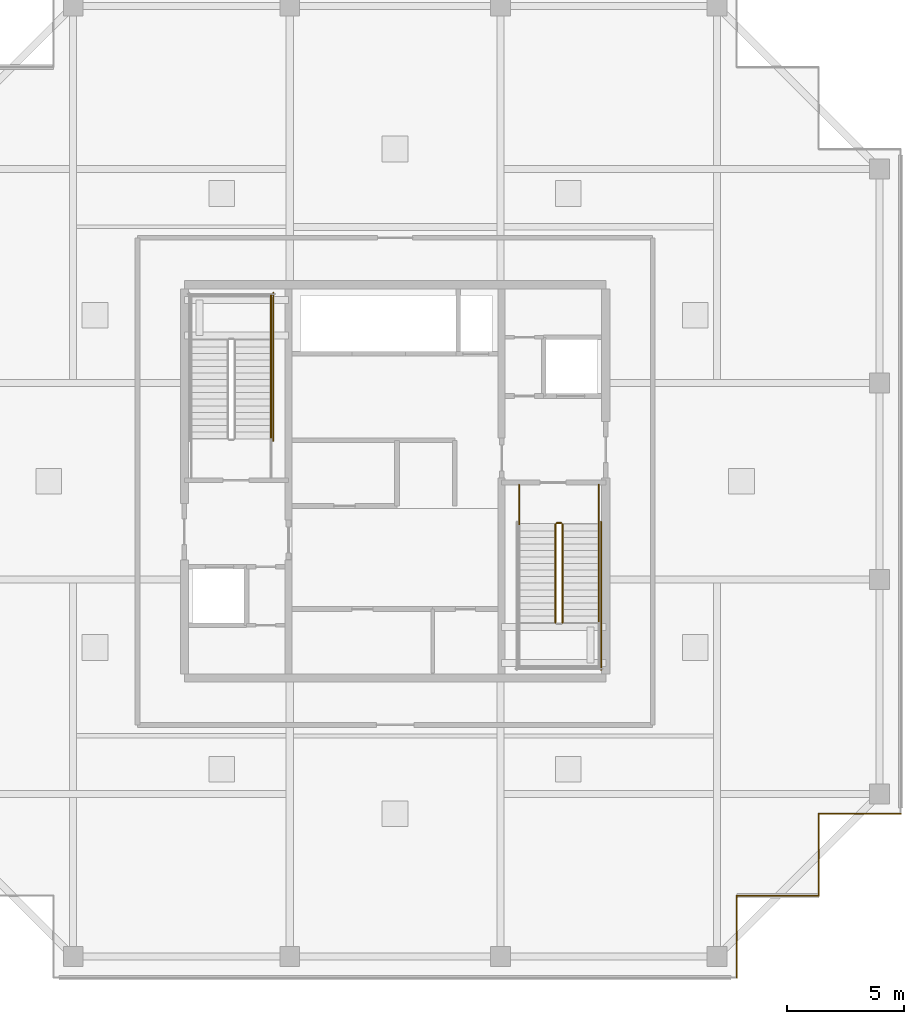
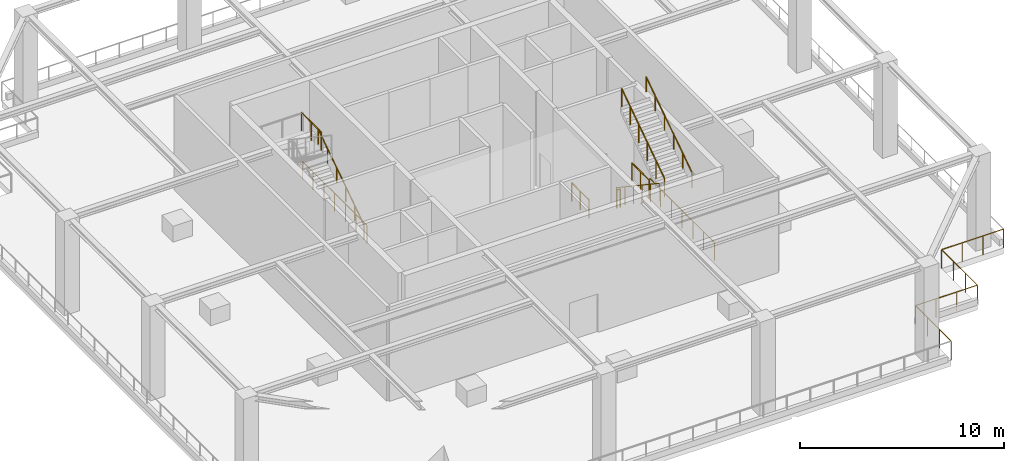
# One storey, part 9 of 10: 14 railings.
"""IFC4 building model written with IfcOpenShell, lengths in metres."""

from ifc_helpers import new_model, si_unit, direction, frame, origin, origin_2d, place, context, subcontext, project, spatial, circle, extrude, material, type_object, element, save


model = new_model("IFC4")

# Units and contexts
model_context = context("Model", 3, precision=1e-05, world=origin(), true_north=direction((0.0, 1.0)))
body_context = subcontext(model_context, "Body", "Model", "MODEL_VIEW")
ifc_project = project(units=[si_unit("LENGTHUNIT", "METRE"), si_unit("AREAUNIT", "SQUARE_METRE"), si_unit("VOLUMEUNIT", "CUBIC_METRE"), si_unit("PLANEANGLEUNIT", "RADIAN"), si_unit("MASSUNIT", "GRAM", prefix="KILO")], contexts=[model_context])

# Site, building, storey
site_placement = place(None, origin())
site = spatial("IfcSite", under=ifc_project, at=site_placement, CompositionType="ELEMENT")
building_placement = place(site_placement, origin())
building = spatial("IfcBuilding", under=site, at=building_placement, Name="Serunith Strait Residences", CompositionType="ELEMENT")
storey_placement = place(building_placement, frame((0.0, 0.0, 359.75)))
storey = spatial("IfcBuildingStorey", under=building, at=storey_placement, Name="L88", CompositionType="ELEMENT", Elevation=359.75)

# Railings
ifc_material_1 = material(Name="Stainless Steel & Laminated Glass Balustrade", Category="steel")
railing_type_1 = type_object("IfcRailingType", Name="RLG-BALC-1150", PredefinedType="BALUSTRADE", material=ifc_material_1)
railing_1_placement = place(storey_placement, frame((47.0, 4.0, 0.0)))
element("IfcRailing", 1, at=railing_1_placement, inside=storey, type_object=railing_type_1, Name="Crown Sky-Garden Perimeter Balustrade 02", PredefinedType="BALUSTRADE", context=body_context, shape_type="SweptSolid", body=[
    extrude(circle(Radius=0.02392578125, at=origin_2d()), frame((0.0, 0.001953125, 1.1259765625), z_axis=(0.0, 1.0, 0.0), x_axis=(-1.0, 0.0, 0.0)), (0.0, 0.0, 1.0), 3.49609375),
    extrude(circle(Radius=0.02099609375, at=origin_2d()), origin(), (0.0, 0.0, 1.0), 1.099853515625),
    extrude(circle(Radius=0.02099609375, at=origin_2d()), frame((0.0, 1.166748046875, 0.0)), (0.0, 0.0, 1.0), 1.099853515625),
    extrude(circle(Radius=0.02099609375, at=origin_2d()), frame((0.0, 2.333251953125, 0.0)), (0.0, 0.0, 1.0), 1.099853515625),
    extrude(circle(Radius=0.02099609375, at=origin_2d()), frame((0.0, 3.5, 0.0)), (0.0, 0.0, 1.0), 1.099853515625),
])
railing_2_placement = place(storey_placement, frame((47.0, 7.5, 0.0)))
element("IfcRailing", 2, at=railing_2_placement, inside=storey, type_object=railing_type_1, Name="Crown Sky-Garden Perimeter Balustrade 03", PredefinedType="BALUSTRADE", context=body_context, shape_type="SweptSolid", body=[
    extrude(circle(Radius=0.02392578125, at=origin_2d()), frame((0.001953125, 0.0, 1.1259765625), z_axis=(1.0, 0.0, 0.0), x_axis=(0.0, 1.0, 0.0)), (0.0, 0.0, 1.0), 3.49609375),
    extrude(circle(Radius=0.02099609375, at=origin_2d()), origin(), (0.0, 0.0, 1.0), 1.099853515625),
    extrude(circle(Radius=0.02099609375, at=origin_2d()), frame((1.166748046875, 0.0, 0.0)), (0.0, 0.0, 1.0), 1.099853515625),
    extrude(circle(Radius=0.02099609375, at=origin_2d()), frame((2.333251953125, 0.0, 0.0)), (0.0, 0.0, 1.0), 1.099853515625),
    extrude(circle(Radius=0.02099609375, at=origin_2d()), frame((3.5, 0.0, 0.0)), (0.0, 0.0, 1.0), 1.099853515625),
])
railing_3_placement = place(storey_placement, frame((50.5, 7.5, 0.0)))
element("IfcRailing", 3, at=railing_3_placement, inside=storey, type_object=railing_type_1, Name="Crown Sky-Garden Perimeter Balustrade 04", PredefinedType="BALUSTRADE", context=body_context, shape_type="SweptSolid", body=[
    extrude(circle(Radius=0.02392578125, at=origin_2d()), frame((0.0, 0.001953125, 1.1259765625), z_axis=(0.0, 1.0, 0.0), x_axis=(-1.0, 0.0, 0.0)), (0.0, 0.0, 1.0), 3.49609375),
    extrude(circle(Radius=0.02099609375, at=origin_2d()), origin(), (0.0, 0.0, 1.0), 1.099853515625),
    extrude(circle(Radius=0.02099609375, at=origin_2d()), frame((0.0, 1.166748046875, 0.0)), (0.0, 0.0, 1.0), 1.099853515625),
    extrude(circle(Radius=0.02099609375, at=origin_2d()), frame((0.0, 2.333251953125, 0.0)), (0.0, 0.0, 1.0), 1.099853515625),
    extrude(circle(Radius=0.02099609375, at=origin_2d()), frame((0.0, 3.5, 0.0)), (0.0, 0.0, 1.0), 1.099853515625),
])
railing_4_placement = place(storey_placement, frame((50.5, 11.0, 0.0)))
element("IfcRailing", 4, at=railing_4_placement, inside=storey, type_object=railing_type_1, Name="Crown Sky-Garden Perimeter Balustrade 05", PredefinedType="BALUSTRADE", context=body_context, shape_type="SweptSolid", body=[
    extrude(circle(Radius=0.02392578125, at=origin_2d()), frame((0.001953125, 0.0, 1.1259765625), z_axis=(1.0, 0.0, 0.0), x_axis=(0.0, 1.0, 0.0)), (0.0, 0.0, 1.0), 3.49609375),
    extrude(circle(Radius=0.02099609375, at=origin_2d()), origin(), (0.0, 0.0, 1.0), 1.099853515625),
    extrude(circle(Radius=0.02099609375, at=origin_2d()), frame((1.166748046875, 0.0, 0.0)), (0.0, 0.0, 1.0), 1.099853515625),
    extrude(circle(Radius=0.02099609375, at=origin_2d()), frame((2.333251953125, 0.0, 0.0)), (0.0, 0.0, 1.0), 1.099853515625),
    extrude(circle(Radius=0.02099609375, at=origin_2d()), frame((3.5, 0.0, 0.0)), (0.0, 0.0, 1.0), 1.099853515625),
])
ifc_material_2 = material(Name="Brushed stainless steel 316L", Category="steel")
railing_type_2 = type_object("IfcRailingType", Name="RLG-STAIR-GUARD", PredefinedType="BALUSTRADE", material=ifc_material_2)
railing_5_placement = place(storey_placement, frame((27.10009765625, 31.22998046875, 3.0)))
element("IfcRailing", 5, at=railing_5_placement, inside=storey, type_object=railing_type_2, Name="L88 ST-1 stair guard 3", PredefinedType="BALUSTRADE", context=body_context, shape_type="SweptSolid", body=[
    extrude(circle(Radius=0.02392578125, at=origin_2d()), frame((0.0, 0.001953125, 1.076171875), z_axis=(0.0, 1.0, 0.0), x_axis=(-1.0, 0.0, 0.0)), (0.0, 0.0, 1.0), 1.916015625),
    extrude(circle(Radius=0.02099609375, at=origin_2d()), origin(), (0.0, 0.0, 1.0), 1.050048828125),
    extrude(circle(Radius=0.02099609375, at=origin_2d()), frame((0.0, 0.9599609375, 0.0)), (0.0, 0.0, 1.0), 1.050048828125),
    extrude(circle(Radius=0.02099609375, at=origin_2d()), frame((0.0, 1.919921875, 0.0)), (0.0, 0.0, 1.0), 1.050048828125),
])
railing_6_placement = place(storey_placement, frame((27.199951171875, 26.929931640625, 0.0)))
element("IfcRailing", 6, at=railing_6_placement, inside=storey, type_object=railing_type_2, Name="L88 ST-1 stair guard 10", PredefinedType="BALUSTRADE", context=body_context, shape_type="SweptSolid", body=[
    extrude(circle(Radius=0.02392578125, at=origin_2d()), frame((0.0, 0.001953125, 1.076171875), z_axis=(0.0, 1.0, 0.0), x_axis=(-1.0, 0.0, 0.0)), (0.0, 0.0, 1.0), 6.316162109375),
    extrude(circle(Radius=0.02099609375, at=origin_2d()), origin(), (0.0, 0.0, 1.0), 1.050048828125),
    extrude(circle(Radius=0.02099609375, at=origin_2d()), frame((0.0, 1.05322265625, 0.0)), (0.0, 0.0, 1.0), 1.050048828125),
    extrude(circle(Radius=0.02099609375, at=origin_2d()), frame((0.0, 2.106689453125, 0.0)), (0.0, 0.0, 1.0), 1.050048828125),
    extrude(circle(Radius=0.02099609375, at=origin_2d()), frame((0.0, 3.16015625, 0.0)), (0.0, 0.0, 1.0), 1.050048828125),
    extrude(circle(Radius=0.02099609375, at=origin_2d()), frame((0.0, 4.21337890625, 0.0)), (0.0, 0.0, 1.0), 1.050048828125),
    extrude(circle(Radius=0.02099609375, at=origin_2d()), frame((0.0, 5.2666015625, 0.0)), (0.0, 0.0, 1.0), 1.050048828125),
    extrude(circle(Radius=0.02099609375, at=origin_2d()), frame((0.0, 6.320068359375, 0.0)), (0.0, 0.0, 1.0), 1.050048828125),
])
railing_7_placement = place(storey_placement, frame((39.25, 23.3701171875, 0.1875)))
element("IfcRailing", 7, at=railing_7_placement, inside=storey, type_object=railing_type_2, Name="L88 ST-2 stair guard 1", PredefinedType="BALUSTRADE", context=body_context, shape_type="SweptSolid", body=[
    extrude(circle(Radius=0.02392578125, at=origin_2d()), frame((0.0, -0.001708984375, 1.0771484375), z_axis=(0.0, -0.830919138977, 0.55639319234), x_axis=(1.0, 0.0, 0.0)), (0.0, 0.0, 1.0), 5.05078125),
    extrude(circle(Radius=0.02099609375, at=origin_2d()), origin(), (0.0, 0.0, 1.0), 1.050048828125),
    extrude(circle(Radius=0.02099609375, at=origin_2d()), frame((0.0, -0.840087890625, 0.5625)), (0.0, 0.0, 1.0), 1.050048828125),
    extrude(circle(Radius=0.02099609375, at=origin_2d()), frame((0.0, -1.68017578125, 1.125)), (0.0, 0.0, 1.0), 1.050048828125),
    extrude(circle(Radius=0.02099609375, at=origin_2d()), frame((0.0, -2.52001953125, 1.6875)), (0.0, 0.0, 1.0), 1.050048828125),
    extrude(circle(Radius=0.02099609375, at=origin_2d()), frame((0.0, -3.360107421875, 2.25)), (0.0, 0.0, 1.0), 1.050048828125),
    extrude(circle(Radius=0.02099609375, at=origin_2d()), frame((0.0, -4.2001953125, 2.8125)), (0.0, 0.0, 1.0), 1.050048828125),
])
railing_8_placement = place(storey_placement, frame((39.550048828125, 19.169921875, 3.1875)))
element("IfcRailing", 8, at=railing_8_placement, inside=storey, type_object=railing_type_2, Name="L88 ST-2 stair guard 6", PredefinedType="BALUSTRADE", context=body_context, shape_type="SweptSolid", body=[
    extrude(circle(Radius=0.02392578125, at=origin_2d()), frame((0.0, 0.001708984375, 1.0771484375), z_axis=(0.0, 0.830919138977, 0.55639319234), x_axis=(-1.0, 0.0, 0.0)), (0.0, 0.0, 1.0), 5.05078125),
    extrude(circle(Radius=0.02099609375, at=origin_2d()), origin(), (0.0, 0.0, 1.0), 1.050048828125),
    extrude(circle(Radius=0.02099609375, at=origin_2d()), frame((0.0, 0.840087890625, 0.5625)), (0.0, 0.0, 1.0), 1.050048828125),
    extrude(circle(Radius=0.02099609375, at=origin_2d()), frame((0.0, 1.68017578125, 1.125)), (0.0, 0.0, 1.0), 1.050048828125),
    extrude(circle(Radius=0.02099609375, at=origin_2d()), frame((0.0, 2.52001953125, 1.6875)), (0.0, 0.0, 1.0), 1.050048828125),
    extrude(circle(Radius=0.02099609375, at=origin_2d()), frame((0.0, 3.360107421875, 2.25)), (0.0, 0.0, 1.0), 1.050048828125),
    extrude(circle(Radius=0.02099609375, at=origin_2d()), frame((0.0, 4.2001953125, 2.8125)), (0.0, 0.0, 1.0), 1.050048828125),
])
railing_9_placement = place(storey_placement, frame((39.300048828125, 23.419921875, 0.0)))
element("IfcRailing", 9, at=railing_9_placement, inside=storey, type_object=railing_type_2, Name="L88 ST-2 stair guard 7", PredefinedType="BALUSTRADE", context=body_context, shape_type="SweptSolid", body=[
    extrude(circle(Radius=0.02392578125, at=origin_2d()), frame((0.001953125, 0.0, 1.076171875), z_axis=(1.0, 0.0, 0.0), x_axis=(0.0, 1.0, 0.0)), (0.0, 0.0, 1.0), 0.196044921875),
    extrude(circle(Radius=0.02099609375, at=origin_2d()), origin(), (0.0, 0.0, 1.0), 1.050048828125),
    extrude(circle(Radius=0.02099609375, at=origin_2d()), frame((0.199951171875, 0.0, 0.0)), (0.0, 0.0, 1.0), 1.050048828125),
])
for number, where, name in (
    (10, (37.699951171875, 25.050048828125, 0.0), "L88 ST-2 stair guard 8"),
    (11, (41.10009765625, 25.050048828125, 0.0), "L88 ST-2 stair guard 9"),
):
    element("IfcRailing", number, at=place(storey_placement, frame(where)), inside=storey, type_object=railing_type_2, Name=name, PredefinedType="BALUSTRADE", context=body_context, shape_type="SweptSolid", body=[
        extrude(circle(Radius=0.02392578125, at=origin_2d()), frame((0.0, -0.001953125, 1.076171875), z_axis=(0.0, -1.0, 0.0), x_axis=(1.0, 0.0, 0.0)), (0.0, 0.0, 1.0), 1.676025390625),
        extrude(circle(Radius=0.02099609375, at=origin_2d()), origin(), (0.0, 0.0, 1.0), 1.050048828125),
        extrude(circle(Radius=0.02099609375, at=origin_2d()), frame((0.0, -0.83984375, 0.0)), (0.0, 0.0, 1.0), 1.050048828125),
        extrude(circle(Radius=0.02099609375, at=origin_2d()), frame((0.0, -1.679931640625, 0.0)), (0.0, 0.0, 1.0), 1.050048828125),
    ])
railing_10_placement = place(storey_placement, frame((41.199951171875, 23.469970703125, 0.0)))
element("IfcRailing", 12, at=railing_10_placement, inside=storey, type_object=railing_type_2, Name="L88 ST-2 stair guard 11", PredefinedType="BALUSTRADE", context=body_context, shape_type="SweptSolid", body=[
    extrude(circle(Radius=0.02392578125, at=origin_2d()), frame((0.0, -0.001953125, 1.076171875), z_axis=(0.0, -1.0, 0.0), x_axis=(1.0, 0.0, 0.0)), (0.0, 0.0, 1.0), 6.316162109375),
    extrude(circle(Radius=0.02099609375, at=origin_2d()), origin(), (0.0, 0.0, 1.0), 1.050048828125),
    extrude(circle(Radius=0.02099609375, at=origin_2d()), frame((0.0, -1.05322265625, 0.0)), (0.0, 0.0, 1.0), 1.050048828125),
    extrude(circle(Radius=0.02099609375, at=origin_2d()), frame((0.0, -2.106689453125, 0.0)), (0.0, 0.0, 1.0), 1.050048828125),
    extrude(circle(Radius=0.02099609375, at=origin_2d()), frame((0.0, -3.16015625, 0.0)), (0.0, 0.0, 1.0), 1.050048828125),
    extrude(circle(Radius=0.02099609375, at=origin_2d()), frame((0.0, -4.21337890625, 0.0)), (0.0, 0.0, 1.0), 1.050048828125),
    extrude(circle(Radius=0.02099609375, at=origin_2d()), frame((0.0, -5.2666015625, 0.0)), (0.0, 0.0, 1.0), 1.050048828125),
    extrude(circle(Radius=0.02099609375, at=origin_2d()), frame((0.0, -6.320068359375, 0.0)), (0.0, 0.0, 1.0), 1.050048828125),
])
railing_type_3 = type_object("IfcRailingType", Name="RLG-STAIR-HR", PredefinedType="HANDRAIL", material=ifc_material_2)
for number, where, name in (
    (13, (27.10009765625, 27.030029296875, 0.1875), "L88 ST-1 stair handrail 1"),
    (14, (41.10009765625, 19.169921875, 3.1875), "L88 ST-2 stair handrail 2"),
):
    element("IfcRailing", number, at=place(storey_placement, frame(where)), inside=storey, type_object=railing_type_3, Name=name, PredefinedType="HANDRAIL", context=body_context, shape_type="SweptSolid", body=[
        extrude(circle(Radius=0.02392578125, at=origin_2d()), frame((0.0, 0.001708984375, 0.876953125), z_axis=(0.0, 0.830487339298, 0.557037502566), x_axis=(-1.0, 0.0, 0.0)), (0.0, 0.0, 1.0), 5.390380859375),
        extrude(circle(Radius=0.02099609375, at=origin_2d()), origin(), (0.0, 0.0, 1.0), 0.849853515625),
        extrude(circle(Radius=0.02099609375, at=origin_2d()), frame((0.0, 0.89599609375, 0.60107421875)), (0.0, 0.0, 1.0), 0.849853515625),
        extrude(circle(Radius=0.02099609375, at=origin_2d()), frame((0.0, 1.7919921875, 1.201904296875)), (0.0, 0.0, 1.0), 0.849853515625),
        extrude(circle(Radius=0.02099609375, at=origin_2d()), frame((0.0, 2.68798828125, 1.802978515625)), (0.0, 0.0, 1.0), 0.849853515625),
        extrude(circle(Radius=0.02099609375, at=origin_2d()), frame((0.0, 3.583984375, 2.40380859375)), (0.0, 0.0, 1.0), 0.849853515625),
        extrude(circle(Radius=0.02099609375, at=origin_2d()), frame((0.0, 4.47998046875, 3.0048828125)), (0.0, 0.0, 1.0), 0.849853515625),
    ])

save(model, "model.ifc")
